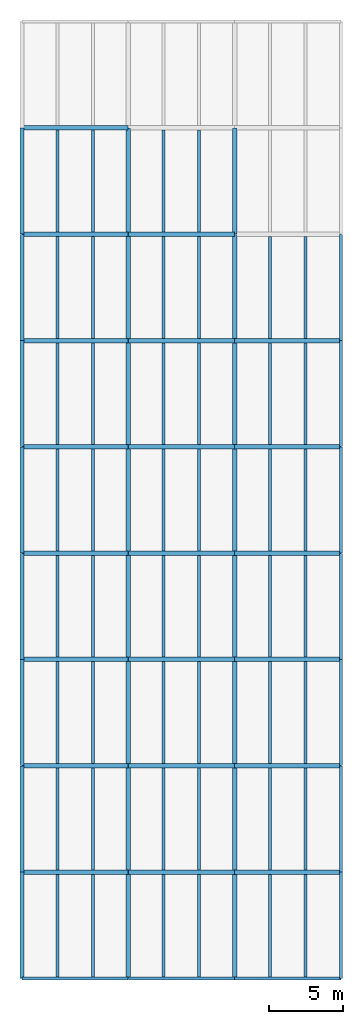
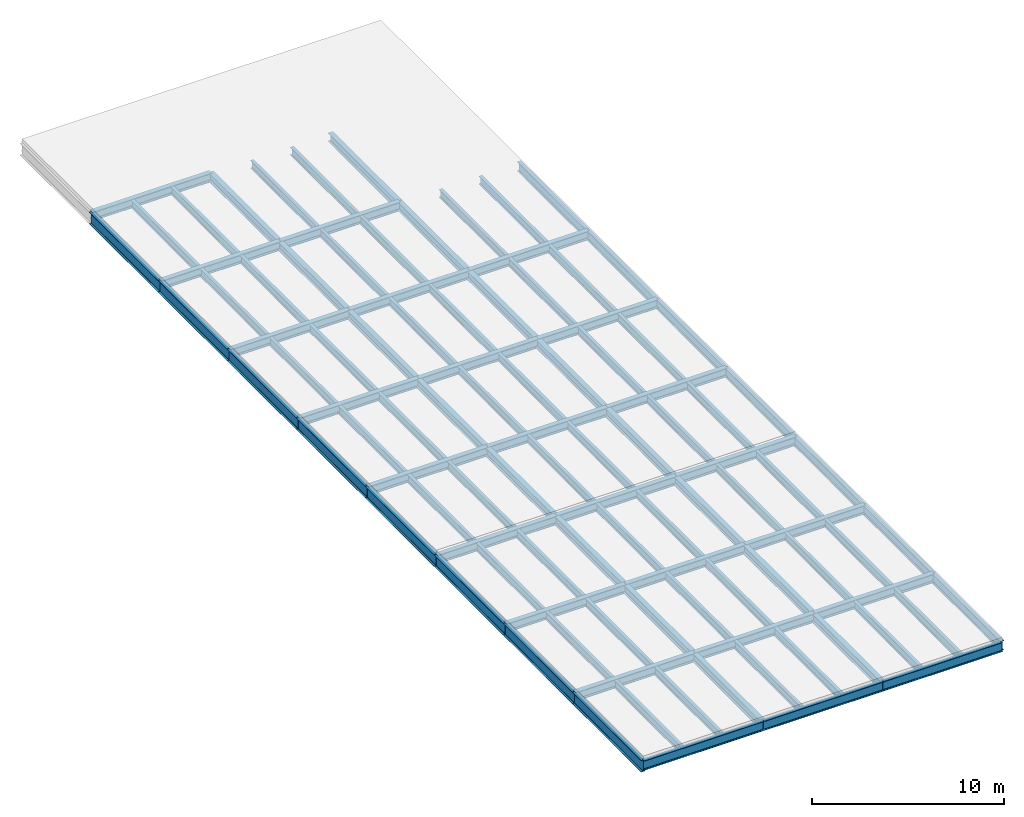
# One storey, part 1 of 2: 101 beams.
"""IFC4 building model written with IfcOpenShell, lengths in metres."""

from ifc_helpers import new_model, si_unit, direction, frame, origin, origin_2d, place, context, subcontext, project, spatial, i_section, extrude, material, material_profile, profile_set, type_object, element, save


model = new_model("IFC4")

# Units and contexts
model_context = context("Model", 3, precision=1e-05, world=origin(), true_north=direction((0.0, 1.0)))
body_context = subcontext(model_context, "Body", "Model", "MODEL_VIEW")
ifc_project = project(units=[si_unit("LENGTHUNIT", "METRE"), si_unit("AREAUNIT", "SQUARE_METRE"), si_unit("VOLUMEUNIT", "CUBIC_METRE"), si_unit("PLANEANGLEUNIT", "RADIAN"), si_unit("MASSUNIT", "GRAM", prefix="KILO")], contexts=[model_context])

# Site, building, storey
site_placement = place(None, origin())
site = spatial("IfcSite", under=ifc_project, at=site_placement, CompositionType="ELEMENT")
building_placement = place(site_placement, origin())
building = spatial("IfcBuilding", under=site, at=building_placement, Name="Narikvali Park Central Library", CompositionType="ELEMENT")
storey_placement = place(building_placement, frame((0.0, 0.0, 27.0)))
storey = spatial("IfcBuildingStorey", under=building, at=storey_placement, Name="Roof", CompositionType="ELEMENT", Elevation=27.0)

# Beams
ifc_material = material(Name="Steel S355", Category="steel")
ifc_material_profile_1 = material_profile(ifc_material, i_section(OverallWidth=0.199951171875, OverallDepth=0.5, WebThickness=0.01025390625, FlangeThickness=0.01611328125, FilletRadius=0.02099609375, at=origin_2d()), Name="IPE 500")
ifc_profile_set_1 = profile_set([ifc_material_profile_1], Name="Steel S355")
beam_type_1 = type_object("IfcBeamType", Name="Composite Floor Joist IPE500", PredefinedType="JOIST", material=ifc_profile_set_1)
for number, where, z_axis, x_axis, name in (
    (1, (2.39990234375, 43.31005859375, -0.489990234375), (0.0, 1.0, 0.0), (-1.0, 0.0, 0.0), "V5 Roof Composite Joist 1"),
    (2, (4.800048828125, 43.31005859375, -0.489990234375), (0.0, 1.0, 0.0), (-1.0, 0.0, 0.0), "V5 Roof Composite Joist 2"),
):
    element("IfcBeam", number, at=place(storey_placement, frame(where, z_axis=z_axis, x_axis=x_axis)), inside=storey, type_object=beam_type_1, Name=name, PredefinedType="JOIST", context=body_context, shape_type="SweptSolid", body=[
        extrude(i_section(OverallWidth=0.199951171875, OverallDepth=0.5, WebThickness=0.01025390625, FlangeThickness=0.01611328125, FilletRadius=0.02099609375, at=origin_2d()), origin(), (0.0, 0.0, 1.0), 6.93994140625),
    ])
for number, where, z_axis, x_axis, name in (
    (3, (2.39990234375, 50.550048828125, -0.489990234375), (0.0, 1.0, 0.0), (-1.0, 0.0, 0.0), "V5 Roof Composite Joist 1"),
    (4, (4.800048828125, 50.550048828125, -0.489990234375), (0.0, 1.0, 0.0), (-1.0, 0.0, 0.0), "V5 Roof Composite Joist 2"),
    (5, (2.39990234375, 57.75, -0.489990234375), (0.0, 1.0, 0.0), (-1.0, 0.0, 0.0), "V5 Roof Composite Joist 1"),
    (6, (4.800048828125, 57.75, -0.489990234375), (0.0, 1.0, 0.0), (-1.0, 0.0, 0.0), "V5 Roof Composite Joist 2"),
):
    element("IfcBeam", number, at=place(storey_placement, frame(where, z_axis=z_axis, x_axis=x_axis)), inside=storey, type_object=beam_type_1, Name=name, PredefinedType="JOIST", context=body_context, shape_type="SweptSolid", body=[
        extrude(i_section(OverallWidth=0.199951171875, OverallDepth=0.5, WebThickness=0.01025390625, FlangeThickness=0.01611328125, FilletRadius=0.02099609375, at=origin_2d()), origin(), (0.0, 0.0, 1.0), 6.89990234375),
    ])
for number, where, z_axis, x_axis, name in (
    (7, (2.39990234375, 64.949951171875, -0.489990234375), (0.0, 1.0, 0.0), (-1.0, 0.0, 0.0), "V5 Roof Composite Joist 1"),
    (8, (4.800048828125, 64.949951171875, -0.489990234375), (0.0, 1.0, 0.0), (-1.0, 0.0, 0.0), "V5 Roof Composite Joist 2"),
    (9, (2.39990234375, 72.14990234375, -0.489990234375), (0.0, 1.0, 0.0), (-1.0, 0.0, 0.0), "V5 Roof Composite Joist 1"),
    (10, (4.800048828125, 72.14990234375, -0.489990234375), (0.0, 1.0, 0.0), (-1.0, 0.0, 0.0), "V5 Roof Composite Joist 2"),
):
    element("IfcBeam", number, at=place(storey_placement, frame(where, z_axis=z_axis, x_axis=x_axis)), inside=storey, type_object=beam_type_1, Name=name, PredefinedType="JOIST", context=body_context, shape_type="SweptSolid", body=[
        extrude(i_section(OverallWidth=0.199951171875, OverallDepth=0.5, WebThickness=0.01025390625, FlangeThickness=0.01611328125, FilletRadius=0.02099609375, at=origin_2d()), origin(), (0.0, 0.0, 1.0), 6.900146484375),
    ])
for number, where, z_axis, x_axis, name in (
    (11, (2.39990234375, 79.35009765625, -0.489990234375), (0.0, 1.0, 0.0), (-1.0, 0.0, 0.0), "V5 Roof Composite Joist 1"),
    (12, (4.800048828125, 79.35009765625, -0.489990234375), (0.0, 1.0, 0.0), (-1.0, 0.0, 0.0), "V5 Roof Composite Joist 2"),
    (13, (2.39990234375, 86.550048828125, -0.489990234375), (0.0, 1.0, 0.0), (-1.0, 0.0, 0.0), "V5 Roof Composite Joist 1"),
    (14, (4.800048828125, 86.550048828125, -0.489990234375), (0.0, 1.0, 0.0), (-1.0, 0.0, 0.0), "V5 Roof Composite Joist 2"),
    (15, (2.39990234375, 93.75, -0.489990234375), (0.0, 1.0, 0.0), (-1.0, 0.0, 0.0), "V5 Roof Composite Joist 1"),
    (16, (4.800048828125, 93.75, -0.489990234375), (0.0, 1.0, 0.0), (-1.0, 0.0, 0.0), "V5 Roof Composite Joist 2"),
):
    element("IfcBeam", number, at=place(storey_placement, frame(where, z_axis=z_axis, x_axis=x_axis)), inside=storey, type_object=beam_type_1, Name=name, PredefinedType="JOIST", context=body_context, shape_type="SweptSolid", body=[
        extrude(i_section(OverallWidth=0.199951171875, OverallDepth=0.5, WebThickness=0.01025390625, FlangeThickness=0.01611328125, FilletRadius=0.02099609375, at=origin_2d()), origin(), (0.0, 0.0, 1.0), 6.89990234375),
    ])
for number, where, z_axis, x_axis, name in (
    (17, (9.60009765625, 43.31005859375, -0.489990234375), (0.0, 1.0, 0.0), (-1.0, 0.0, 0.0), "V5 Roof Composite Joist 1"),
    (18, (12.0, 43.31005859375, -0.489990234375), (0.0, 1.0, 0.0), (-1.0, 0.0, 0.0), "V5 Roof Composite Joist 2"),
):
    element("IfcBeam", number, at=place(storey_placement, frame(where, z_axis=z_axis, x_axis=x_axis)), inside=storey, type_object=beam_type_1, Name=name, PredefinedType="JOIST", context=body_context, shape_type="SweptSolid", body=[
        extrude(i_section(OverallWidth=0.199951171875, OverallDepth=0.5, WebThickness=0.01025390625, FlangeThickness=0.01611328125, FilletRadius=0.02099609375, at=origin_2d()), origin(), (0.0, 0.0, 1.0), 6.93994140625),
    ])
for number, where, z_axis, x_axis, name in (
    (19, (9.60009765625, 50.550048828125, -0.489990234375), (0.0, 1.0, 0.0), (-1.0, 0.0, 0.0), "V5 Roof Composite Joist 1"),
    (20, (12.0, 50.550048828125, -0.489990234375), (0.0, 1.0, 0.0), (-1.0, 0.0, 0.0), "V5 Roof Composite Joist 2"),
    (21, (9.60009765625, 57.75, -0.489990234375), (0.0, 1.0, 0.0), (-1.0, 0.0, 0.0), "V5 Roof Composite Joist 1"),
    (22, (12.0, 57.75, -0.489990234375), (0.0, 1.0, 0.0), (-1.0, 0.0, 0.0), "V5 Roof Composite Joist 2"),
):
    element("IfcBeam", number, at=place(storey_placement, frame(where, z_axis=z_axis, x_axis=x_axis)), inside=storey, type_object=beam_type_1, Name=name, PredefinedType="JOIST", context=body_context, shape_type="SweptSolid", body=[
        extrude(i_section(OverallWidth=0.199951171875, OverallDepth=0.5, WebThickness=0.01025390625, FlangeThickness=0.01611328125, FilletRadius=0.02099609375, at=origin_2d()), origin(), (0.0, 0.0, 1.0), 6.89990234375),
    ])
for number, where, z_axis, x_axis, name in (
    (23, (9.60009765625, 64.949951171875, -0.489990234375), (0.0, 1.0, 0.0), (-1.0, 0.0, 0.0), "V5 Roof Composite Joist 1"),
    (24, (12.0, 64.949951171875, -0.489990234375), (0.0, 1.0, 0.0), (-1.0, 0.0, 0.0), "V5 Roof Composite Joist 2"),
    (25, (9.60009765625, 72.14990234375, -0.489990234375), (0.0, 1.0, 0.0), (-1.0, 0.0, 0.0), "V5 Roof Composite Joist 1"),
    (26, (12.0, 72.14990234375, -0.489990234375), (0.0, 1.0, 0.0), (-1.0, 0.0, 0.0), "V5 Roof Composite Joist 2"),
):
    element("IfcBeam", number, at=place(storey_placement, frame(where, z_axis=z_axis, x_axis=x_axis)), inside=storey, type_object=beam_type_1, Name=name, PredefinedType="JOIST", context=body_context, shape_type="SweptSolid", body=[
        extrude(i_section(OverallWidth=0.199951171875, OverallDepth=0.5, WebThickness=0.01025390625, FlangeThickness=0.01611328125, FilletRadius=0.02099609375, at=origin_2d()), origin(), (0.0, 0.0, 1.0), 6.900146484375),
    ])
for number, where, z_axis, x_axis, name in (
    (27, (9.60009765625, 79.35009765625, -0.489990234375), (0.0, 1.0, 0.0), (-1.0, 0.0, 0.0), "V5 Roof Composite Joist 1"),
    (28, (12.0, 79.35009765625, -0.489990234375), (0.0, 1.0, 0.0), (-1.0, 0.0, 0.0), "V5 Roof Composite Joist 2"),
    (29, (9.60009765625, 86.550048828125, -0.489990234375), (0.0, 1.0, 0.0), (-1.0, 0.0, 0.0), "V5 Roof Composite Joist 1"),
    (30, (12.0, 86.550048828125, -0.489990234375), (0.0, 1.0, 0.0), (-1.0, 0.0, 0.0), "V5 Roof Composite Joist 2"),
    (31, (9.60009765625, 93.75, -0.489990234375), (0.0, 1.0, 0.0), (-1.0, 0.0, 0.0), "V5 Roof Composite Joist 1"),
    (32, (12.0, 93.75, -0.489990234375), (0.0, 1.0, 0.0), (-1.0, 0.0, 0.0), "V5 Roof Composite Joist 2"),
):
    element("IfcBeam", number, at=place(storey_placement, frame(where, z_axis=z_axis, x_axis=x_axis)), inside=storey, type_object=beam_type_1, Name=name, PredefinedType="JOIST", context=body_context, shape_type="SweptSolid", body=[
        extrude(i_section(OverallWidth=0.199951171875, OverallDepth=0.5, WebThickness=0.01025390625, FlangeThickness=0.01611328125, FilletRadius=0.02099609375, at=origin_2d()), origin(), (0.0, 0.0, 1.0), 6.89990234375),
    ])
for number, where, z_axis, x_axis, name in (
    (33, (16.800048828125, 43.31005859375, -0.489990234375), (0.0, 1.0, 0.0), (-1.0, 0.0, 0.0), "V5 Roof Composite Joist 1"),
    (34, (19.199951171875, 43.31005859375, -0.489990234375), (0.0, 1.0, 0.0), (-1.0, 0.0, 0.0), "V5 Roof Composite Joist 2"),
):
    element("IfcBeam", number, at=place(storey_placement, frame(where, z_axis=z_axis, x_axis=x_axis)), inside=storey, type_object=beam_type_1, Name=name, PredefinedType="JOIST", context=body_context, shape_type="SweptSolid", body=[
        extrude(i_section(OverallWidth=0.199951171875, OverallDepth=0.5, WebThickness=0.01025390625, FlangeThickness=0.01611328125, FilletRadius=0.02099609375, at=origin_2d()), origin(), (0.0, 0.0, 1.0), 6.93994140625),
    ])
for number, where, z_axis, x_axis, name in (
    (35, (16.800048828125, 50.550048828125, -0.489990234375), (0.0, 1.0, 0.0), (-1.0, 0.0, 0.0), "V5 Roof Composite Joist 1"),
    (36, (19.199951171875, 50.550048828125, -0.489990234375), (0.0, 1.0, 0.0), (-1.0, 0.0, 0.0), "V5 Roof Composite Joist 2"),
    (37, (16.800048828125, 57.75, -0.489990234375), (0.0, 1.0, 0.0), (-1.0, 0.0, 0.0), "V5 Roof Composite Joist 1"),
    (38, (19.199951171875, 57.75, -0.489990234375), (0.0, 1.0, 0.0), (-1.0, 0.0, 0.0), "V5 Roof Composite Joist 2"),
):
    element("IfcBeam", number, at=place(storey_placement, frame(where, z_axis=z_axis, x_axis=x_axis)), inside=storey, type_object=beam_type_1, Name=name, PredefinedType="JOIST", context=body_context, shape_type="SweptSolid", body=[
        extrude(i_section(OverallWidth=0.199951171875, OverallDepth=0.5, WebThickness=0.01025390625, FlangeThickness=0.01611328125, FilletRadius=0.02099609375, at=origin_2d()), origin(), (0.0, 0.0, 1.0), 6.89990234375),
    ])
for number, where, z_axis, x_axis, name in (
    (39, (16.800048828125, 64.949951171875, -0.489990234375), (0.0, 1.0, 0.0), (-1.0, 0.0, 0.0), "V5 Roof Composite Joist 1"),
    (40, (19.199951171875, 64.949951171875, -0.489990234375), (0.0, 1.0, 0.0), (-1.0, 0.0, 0.0), "V5 Roof Composite Joist 2"),
    (41, (16.800048828125, 72.14990234375, -0.489990234375), (0.0, 1.0, 0.0), (-1.0, 0.0, 0.0), "V5 Roof Composite Joist 1"),
    (42, (19.199951171875, 72.14990234375, -0.489990234375), (0.0, 1.0, 0.0), (-1.0, 0.0, 0.0), "V5 Roof Composite Joist 2"),
):
    element("IfcBeam", number, at=place(storey_placement, frame(where, z_axis=z_axis, x_axis=x_axis)), inside=storey, type_object=beam_type_1, Name=name, PredefinedType="JOIST", context=body_context, shape_type="SweptSolid", body=[
        extrude(i_section(OverallWidth=0.199951171875, OverallDepth=0.5, WebThickness=0.01025390625, FlangeThickness=0.01611328125, FilletRadius=0.02099609375, at=origin_2d()), origin(), (0.0, 0.0, 1.0), 6.900146484375),
    ])
for number, where, z_axis, x_axis, name in (
    (43, (16.800048828125, 79.35009765625, -0.489990234375), (0.0, 1.0, 0.0), (-1.0, 0.0, 0.0), "V5 Roof Composite Joist 1"),
    (44, (19.199951171875, 79.35009765625, -0.489990234375), (0.0, 1.0, 0.0), (-1.0, 0.0, 0.0), "V5 Roof Composite Joist 2"),
    (45, (16.800048828125, 86.550048828125, -0.489990234375), (0.0, 1.0, 0.0), (-1.0, 0.0, 0.0), "V5 Roof Composite Joist 1"),
    (46, (19.199951171875, 86.550048828125, -0.489990234375), (0.0, 1.0, 0.0), (-1.0, 0.0, 0.0), "V5 Roof Composite Joist 2"),
):
    element("IfcBeam", number, at=place(storey_placement, frame(where, z_axis=z_axis, x_axis=x_axis)), inside=storey, type_object=beam_type_1, Name=name, PredefinedType="JOIST", context=body_context, shape_type="SweptSolid", body=[
        extrude(i_section(OverallWidth=0.199951171875, OverallDepth=0.5, WebThickness=0.01025390625, FlangeThickness=0.01611328125, FilletRadius=0.02099609375, at=origin_2d()), origin(), (0.0, 0.0, 1.0), 6.89990234375),
    ])
ifc_material_profile_2 = material_profile(ifc_material, i_section(OverallWidth=0.264892578125, OverallDepth=0.7529296875, WebThickness=0.01318359375, FlangeThickness=0.01708984375, FilletRadius=0.01708984375, at=origin_2d()), Name="IPE 750x147")
ifc_profile_set_2 = profile_set([ifc_material_profile_2], Name="Steel S355")
beam_type_2 = type_object("IfcBeamType", Name="Fin Facade Spandrel IPE750", PredefinedType="SPANDREL", material=ifc_profile_set_2)
for number, where, z_axis, x_axis, name in (
    (47, (0.0, 43.2080078125, -0.616455078125), (0.0, 1.0, 0.0), (-1.0, 0.0, 0.0), "V5 Roof Girder Y"),
    (48, (0.0, 50.407958984375, -0.616455078125), (0.0, 1.0, 0.0), (-1.0, 0.0, 0.0), "V5 Roof Girder Y"),
    (49, (0.0, 57.60791015625, -0.616455078125), (0.0, 1.0, 0.0), (-1.0, 0.0, 0.0), "V5 Roof Girder Y"),
):
    element("IfcBeam", number, at=place(storey_placement, frame(where, z_axis=z_axis, x_axis=x_axis)), inside=storey, type_object=beam_type_2, Name=name, PredefinedType="SPANDREL", context=body_context, shape_type="SweptSolid", body=[
        extrude(i_section(OverallWidth=0.264892578125, OverallDepth=0.7529296875, WebThickness=0.01318359375, FlangeThickness=0.01708984375, FilletRadius=0.01708984375, at=origin_2d()), origin(), (0.0, 0.0, 1.0), 7.18408203125),
    ])
for number, where, z_axis, x_axis, name in (
    (50, (0.0, 64.80810546875, -0.616455078125), (0.0, 1.0, 0.0), (-1.0, 0.0, 0.0), "V5 Roof Girder Y"),
    (51, (0.0, 72.008056640625, -0.616455078125), (0.0, 1.0, 0.0), (-1.0, 0.0, 0.0), "V5 Roof Girder Y"),
):
    element("IfcBeam", number, at=place(storey_placement, frame(where, z_axis=z_axis, x_axis=x_axis)), inside=storey, type_object=beam_type_2, Name=name, PredefinedType="SPANDREL", context=body_context, shape_type="SweptSolid", body=[
        extrude(i_section(OverallWidth=0.264892578125, OverallDepth=0.7529296875, WebThickness=0.01318359375, FlangeThickness=0.01708984375, FilletRadius=0.01708984375, at=origin_2d()), origin(), (0.0, 0.0, 1.0), 7.183837890625),
    ])
for number, where, z_axis, x_axis, name in (
    (52, (0.0, 79.2080078125, -0.616455078125), (0.0, 1.0, 0.0), (-1.0, 0.0, 0.0), "V5 Roof Girder Y"),
    (53, (0.0, 86.407958984375, -0.616455078125), (0.0, 1.0, 0.0), (-1.0, 0.0, 0.0), "V5 Roof Girder Y"),
    (54, (0.0, 93.60791015625, -0.616455078125), (0.0, 1.0, 0.0), (-1.0, 0.0, 0.0), "V5 Roof Girder Y"),
):
    element("IfcBeam", number, at=place(storey_placement, frame(where, z_axis=z_axis, x_axis=x_axis)), inside=storey, type_object=beam_type_2, Name=name, PredefinedType="SPANDREL", context=body_context, shape_type="SweptSolid", body=[
        extrude(i_section(OverallWidth=0.264892578125, OverallDepth=0.7529296875, WebThickness=0.01318359375, FlangeThickness=0.01708984375, FilletRadius=0.01708984375, at=origin_2d()), origin(), (0.0, 0.0, 1.0), 7.18408203125),
    ])
ifc_material_profile_3 = material_profile(ifc_material, i_section(OverallWidth=0.219970703125, OverallDepth=0.60009765625, WebThickness=0.011962890625, FlangeThickness=0.01904296875, FilletRadius=0.02392578125, at=origin_2d()), Name="IPE 600")
ifc_profile_set_3 = profile_set([ifc_material_profile_3], Name="Steel S355")
beam_type_3 = type_object("IfcBeamType", Name="Perimeter Spandrel IPE600", PredefinedType="SPANDREL", material=ifc_profile_set_3)
beam_1_placement = place(storey_placement, frame((0.008056640625, 43.199951171875, -0.5400390625), z_axis=(1.0, 0.0, 0.0), x_axis=(0.0, 1.0, 0.0)))
element("IfcBeam", 55, at=beam_1_placement, inside=storey, type_object=beam_type_3, Name="V5 Roof Girder X", PredefinedType="SPANDREL", context=body_context, shape_type="SweptSolid", body=[
    extrude(i_section(OverallWidth=0.219970703125, OverallDepth=0.60009765625, WebThickness=0.011962890625, FlangeThickness=0.01904296875, FilletRadius=0.02392578125, at=origin_2d()), origin(), (0.0, 0.0, 1.0), 7.183837890625),
])
for number, where, z_axis, x_axis, name in (
    (56, (7.2080078125, 43.199951171875, -0.5400390625), (1.0, 0.0, 0.0), (0.0, 1.0, 0.0), "V5 Roof Girder X"),
    (57, (14.407958984375, 43.199951171875, -0.5400390625), (1.0, 0.0, 0.0), (0.0, 1.0, 0.0), "V5 Roof Girder X"),
    (58, (21.60009765625, 43.2080078125, -0.5400390625), (0.0, 1.0, 0.0), (-1.0, 0.0, 0.0), "V5 Roof Girder Y"),
    (59, (21.60009765625, 50.407958984375, -0.5400390625), (0.0, 1.0, 0.0), (-1.0, 0.0, 0.0), "V5 Roof Girder Y"),
    (60, (21.60009765625, 57.60791015625, -0.5400390625), (0.0, 1.0, 0.0), (-1.0, 0.0, 0.0), "V5 Roof Girder Y"),
):
    element("IfcBeam", number, at=place(storey_placement, frame(where, z_axis=z_axis, x_axis=x_axis)), inside=storey, type_object=beam_type_3, Name=name, PredefinedType="SPANDREL", context=body_context, shape_type="SweptSolid", body=[
        extrude(i_section(OverallWidth=0.219970703125, OverallDepth=0.60009765625, WebThickness=0.011962890625, FlangeThickness=0.01904296875, FilletRadius=0.02392578125, at=origin_2d()), origin(), (0.0, 0.0, 1.0), 7.18408203125),
    ])
for number, where, z_axis, x_axis, name in (
    (61, (21.60009765625, 64.80810546875, -0.5400390625), (0.0, 1.0, 0.0), (-1.0, 0.0, 0.0), "V5 Roof Girder Y"),
    (62, (21.60009765625, 72.008056640625, -0.5400390625), (0.0, 1.0, 0.0), (-1.0, 0.0, 0.0), "V5 Roof Girder Y"),
):
    element("IfcBeam", number, at=place(storey_placement, frame(where, z_axis=z_axis, x_axis=x_axis)), inside=storey, type_object=beam_type_3, Name=name, PredefinedType="SPANDREL", context=body_context, shape_type="SweptSolid", body=[
        extrude(i_section(OverallWidth=0.219970703125, OverallDepth=0.60009765625, WebThickness=0.011962890625, FlangeThickness=0.01904296875, FilletRadius=0.02392578125, at=origin_2d()), origin(), (0.0, 0.0, 1.0), 7.183837890625),
    ])
for number, where, z_axis, x_axis, name in (
    (63, (21.60009765625, 79.2080078125, -0.5400390625), (0.0, 1.0, 0.0), (-1.0, 0.0, 0.0), "V5 Roof Girder Y"),
    (64, (21.60009765625, 86.407958984375, -0.5400390625), (0.0, 1.0, 0.0), (-1.0, 0.0, 0.0), "V5 Roof Girder Y"),
):
    element("IfcBeam", number, at=place(storey_placement, frame(where, z_axis=z_axis, x_axis=x_axis)), inside=storey, type_object=beam_type_3, Name=name, PredefinedType="SPANDREL", context=body_context, shape_type="SweptSolid", body=[
        extrude(i_section(OverallWidth=0.219970703125, OverallDepth=0.60009765625, WebThickness=0.011962890625, FlangeThickness=0.01904296875, FilletRadius=0.02392578125, at=origin_2d()), origin(), (0.0, 0.0, 1.0), 7.18408203125),
    ])
ifc_material_profile_4 = material_profile(ifc_material, i_section(OverallWidth=0.300048828125, OverallDepth=0.5400390625, WebThickness=0.012451171875, FlangeThickness=0.02392578125, FilletRadius=0.027099609375, at=origin_2d()), Name="HEA 550")
ifc_profile_set_4 = profile_set([ifc_material_profile_4], Name="Steel S355")
beam_type_4 = type_object("IfcBeamType", Name="Primary Girder HEA550", PredefinedType="BEAM", material=ifc_profile_set_4)
for number, where, z_axis, x_axis, name in (
    (65, (7.199951171875, 43.2080078125, -0.510009765625), (0.0, 1.0, 0.0), (-1.0, 0.0, 0.0), "V5 Roof Girder Y"),
    (66, (7.199951171875, 50.407958984375, -0.510009765625), (0.0, 1.0, 0.0), (-1.0, 0.0, 0.0), "V5 Roof Girder Y"),
    (67, (7.199951171875, 57.60791015625, -0.510009765625), (0.0, 1.0, 0.0), (-1.0, 0.0, 0.0), "V5 Roof Girder Y"),
):
    element("IfcBeam", number, at=place(storey_placement, frame(where, z_axis=z_axis, x_axis=x_axis)), inside=storey, type_object=beam_type_4, Name=name, PredefinedType="BEAM", context=body_context, shape_type="SweptSolid", body=[
        extrude(i_section(OverallWidth=0.300048828125, OverallDepth=0.5400390625, WebThickness=0.012451171875, FlangeThickness=0.02392578125, FilletRadius=0.027099609375, at=origin_2d()), origin(), (0.0, 0.0, 1.0), 7.18408203125),
    ])
for number, where, z_axis, x_axis, name in (
    (68, (7.199951171875, 64.80810546875, -0.510009765625), (0.0, 1.0, 0.0), (-1.0, 0.0, 0.0), "V5 Roof Girder Y"),
    (69, (7.199951171875, 72.008056640625, -0.510009765625), (0.0, 1.0, 0.0), (-1.0, 0.0, 0.0), "V5 Roof Girder Y"),
):
    element("IfcBeam", number, at=place(storey_placement, frame(where, z_axis=z_axis, x_axis=x_axis)), inside=storey, type_object=beam_type_4, Name=name, PredefinedType="BEAM", context=body_context, shape_type="SweptSolid", body=[
        extrude(i_section(OverallWidth=0.300048828125, OverallDepth=0.5400390625, WebThickness=0.012451171875, FlangeThickness=0.02392578125, FilletRadius=0.027099609375, at=origin_2d()), origin(), (0.0, 0.0, 1.0), 7.183837890625),
    ])
for number, where, z_axis, x_axis, name in (
    (70, (7.199951171875, 79.2080078125, -0.510009765625), (0.0, 1.0, 0.0), (-1.0, 0.0, 0.0), "V5 Roof Girder Y"),
    (71, (7.199951171875, 86.407958984375, -0.510009765625), (0.0, 1.0, 0.0), (-1.0, 0.0, 0.0), "V5 Roof Girder Y"),
    (72, (7.199951171875, 93.60791015625, -0.510009765625), (0.0, 1.0, 0.0), (-1.0, 0.0, 0.0), "V5 Roof Girder Y"),
    (73, (14.39990234375, 43.2080078125, -0.510009765625), (0.0, 1.0, 0.0), (-1.0, 0.0, 0.0), "V5 Roof Girder Y"),
    (74, (14.39990234375, 50.407958984375, -0.510009765625), (0.0, 1.0, 0.0), (-1.0, 0.0, 0.0), "V5 Roof Girder Y"),
    (75, (14.39990234375, 57.60791015625, -0.510009765625), (0.0, 1.0, 0.0), (-1.0, 0.0, 0.0), "V5 Roof Girder Y"),
):
    element("IfcBeam", number, at=place(storey_placement, frame(where, z_axis=z_axis, x_axis=x_axis)), inside=storey, type_object=beam_type_4, Name=name, PredefinedType="BEAM", context=body_context, shape_type="SweptSolid", body=[
        extrude(i_section(OverallWidth=0.300048828125, OverallDepth=0.5400390625, WebThickness=0.012451171875, FlangeThickness=0.02392578125, FilletRadius=0.027099609375, at=origin_2d()), origin(), (0.0, 0.0, 1.0), 7.18408203125),
    ])
for number, where, z_axis, x_axis, name in (
    (76, (14.39990234375, 64.80810546875, -0.510009765625), (0.0, 1.0, 0.0), (-1.0, 0.0, 0.0), "V5 Roof Girder Y"),
    (77, (14.39990234375, 72.008056640625, -0.510009765625), (0.0, 1.0, 0.0), (-1.0, 0.0, 0.0), "V5 Roof Girder Y"),
):
    element("IfcBeam", number, at=place(storey_placement, frame(where, z_axis=z_axis, x_axis=x_axis)), inside=storey, type_object=beam_type_4, Name=name, PredefinedType="BEAM", context=body_context, shape_type="SweptSolid", body=[
        extrude(i_section(OverallWidth=0.300048828125, OverallDepth=0.5400390625, WebThickness=0.012451171875, FlangeThickness=0.02392578125, FilletRadius=0.027099609375, at=origin_2d()), origin(), (0.0, 0.0, 1.0), 7.183837890625),
    ])
for number, where, z_axis, x_axis, name in (
    (78, (14.39990234375, 79.2080078125, -0.510009765625), (0.0, 1.0, 0.0), (-1.0, 0.0, 0.0), "V5 Roof Girder Y"),
    (79, (14.39990234375, 86.407958984375, -0.510009765625), (0.0, 1.0, 0.0), (-1.0, 0.0, 0.0), "V5 Roof Girder Y"),
    (80, (14.39990234375, 93.60791015625, -0.510009765625), (0.0, 1.0, 0.0), (-1.0, 0.0, 0.0), "V5 Roof Girder Y"),
):
    element("IfcBeam", number, at=place(storey_placement, frame(where, z_axis=z_axis, x_axis=x_axis)), inside=storey, type_object=beam_type_4, Name=name, PredefinedType="BEAM", context=body_context, shape_type="SweptSolid", body=[
        extrude(i_section(OverallWidth=0.300048828125, OverallDepth=0.5400390625, WebThickness=0.012451171875, FlangeThickness=0.02392578125, FilletRadius=0.027099609375, at=origin_2d()), origin(), (0.0, 0.0, 1.0), 7.18408203125),
    ])
ifc_material_profile_5 = material_profile(ifc_material, i_section(OverallWidth=0.300048828125, OverallDepth=0.550048828125, WebThickness=0.014892578125, FlangeThickness=0.029052734375, FilletRadius=0.027099609375, at=origin_2d()), Name="HEB 550")
ifc_profile_set_5 = profile_set([ifc_material_profile_5], Name="Steel S355")
beam_type_5 = type_object("IfcBeamType", Name="Primary Stack Girder HEB550", PredefinedType="BEAM", material=ifc_profile_set_5)
beam_2_placement = place(storey_placement, frame((0.008056640625, 50.39990234375, -0.514892578125), z_axis=(1.0, 0.0, 0.0), x_axis=(0.0, 1.0, 0.0)))
element("IfcBeam", 81, at=beam_2_placement, inside=storey, type_object=beam_type_5, Name="V5 Roof Girder X", PredefinedType="BEAM", context=body_context, shape_type="SweptSolid", body=[
    extrude(i_section(OverallWidth=0.300048828125, OverallDepth=0.550048828125, WebThickness=0.014892578125, FlangeThickness=0.029052734375, FilletRadius=0.027099609375, at=origin_2d()), origin(), (0.0, 0.0, 1.0), 7.183837890625),
])
for number, where, z_axis, x_axis, name in (
    (82, (7.2080078125, 50.39990234375, -0.514892578125), (1.0, 0.0, 0.0), (0.0, 1.0, 0.0), "V5 Roof Girder X"),
    (83, (14.407958984375, 50.39990234375, -0.514892578125), (1.0, 0.0, 0.0), (0.0, 1.0, 0.0), "V5 Roof Girder X"),
):
    element("IfcBeam", number, at=place(storey_placement, frame(where, z_axis=z_axis, x_axis=x_axis)), inside=storey, type_object=beam_type_5, Name=name, PredefinedType="BEAM", context=body_context, shape_type="SweptSolid", body=[
        extrude(i_section(OverallWidth=0.300048828125, OverallDepth=0.550048828125, WebThickness=0.014892578125, FlangeThickness=0.029052734375, FilletRadius=0.027099609375, at=origin_2d()), origin(), (0.0, 0.0, 1.0), 7.18408203125),
    ])
beam_3_placement = place(storey_placement, frame((0.008056640625, 57.60009765625, -0.514892578125), z_axis=(1.0, 0.0, 0.0), x_axis=(0.0, 1.0, 0.0)))
element("IfcBeam", 84, at=beam_3_placement, inside=storey, type_object=beam_type_5, Name="V5 Roof Girder X", PredefinedType="BEAM", context=body_context, shape_type="SweptSolid", body=[
    extrude(i_section(OverallWidth=0.300048828125, OverallDepth=0.550048828125, WebThickness=0.014892578125, FlangeThickness=0.029052734375, FilletRadius=0.027099609375, at=origin_2d()), origin(), (0.0, 0.0, 1.0), 7.183837890625),
])
for number, where, z_axis, x_axis, name in (
    (85, (7.2080078125, 57.60009765625, -0.514892578125), (1.0, 0.0, 0.0), (0.0, 1.0, 0.0), "V5 Roof Girder X"),
    (86, (14.407958984375, 57.60009765625, -0.514892578125), (1.0, 0.0, 0.0), (0.0, 1.0, 0.0), "V5 Roof Girder X"),
):
    element("IfcBeam", number, at=place(storey_placement, frame(where, z_axis=z_axis, x_axis=x_axis)), inside=storey, type_object=beam_type_5, Name=name, PredefinedType="BEAM", context=body_context, shape_type="SweptSolid", body=[
        extrude(i_section(OverallWidth=0.300048828125, OverallDepth=0.550048828125, WebThickness=0.014892578125, FlangeThickness=0.029052734375, FilletRadius=0.027099609375, at=origin_2d()), origin(), (0.0, 0.0, 1.0), 7.18408203125),
    ])
beam_4_placement = place(storey_placement, frame((0.008056640625, 64.800048828125, -0.514892578125), z_axis=(1.0, 0.0, 0.0), x_axis=(0.0, 1.0, 0.0)))
element("IfcBeam", 87, at=beam_4_placement, inside=storey, type_object=beam_type_5, Name="V5 Roof Girder X", PredefinedType="BEAM", context=body_context, shape_type="SweptSolid", body=[
    extrude(i_section(OverallWidth=0.300048828125, OverallDepth=0.550048828125, WebThickness=0.014892578125, FlangeThickness=0.029052734375, FilletRadius=0.027099609375, at=origin_2d()), origin(), (0.0, 0.0, 1.0), 7.183837890625),
])
for number, where, z_axis, x_axis, name in (
    (88, (7.2080078125, 64.800048828125, -0.514892578125), (1.0, 0.0, 0.0), (0.0, 1.0, 0.0), "V5 Roof Girder X"),
    (89, (14.407958984375, 64.800048828125, -0.514892578125), (1.0, 0.0, 0.0), (0.0, 1.0, 0.0), "V5 Roof Girder X"),
):
    element("IfcBeam", number, at=place(storey_placement, frame(where, z_axis=z_axis, x_axis=x_axis)), inside=storey, type_object=beam_type_5, Name=name, PredefinedType="BEAM", context=body_context, shape_type="SweptSolid", body=[
        extrude(i_section(OverallWidth=0.300048828125, OverallDepth=0.550048828125, WebThickness=0.014892578125, FlangeThickness=0.029052734375, FilletRadius=0.027099609375, at=origin_2d()), origin(), (0.0, 0.0, 1.0), 7.18408203125),
    ])
beam_5_placement = place(storey_placement, frame((0.008056640625, 72.0, -0.514892578125), z_axis=(1.0, 0.0, 0.0), x_axis=(0.0, 1.0, 0.0)))
element("IfcBeam", 90, at=beam_5_placement, inside=storey, type_object=beam_type_5, Name="V5 Roof Girder X", PredefinedType="BEAM", context=body_context, shape_type="SweptSolid", body=[
    extrude(i_section(OverallWidth=0.300048828125, OverallDepth=0.550048828125, WebThickness=0.014892578125, FlangeThickness=0.029052734375, FilletRadius=0.027099609375, at=origin_2d()), origin(), (0.0, 0.0, 1.0), 7.183837890625),
])
for number, where, z_axis, x_axis, name in (
    (91, (7.2080078125, 72.0, -0.514892578125), (1.0, 0.0, 0.0), (0.0, 1.0, 0.0), "V5 Roof Girder X"),
    (92, (14.407958984375, 72.0, -0.514892578125), (1.0, 0.0, 0.0), (0.0, 1.0, 0.0), "V5 Roof Girder X"),
):
    element("IfcBeam", number, at=place(storey_placement, frame(where, z_axis=z_axis, x_axis=x_axis)), inside=storey, type_object=beam_type_5, Name=name, PredefinedType="BEAM", context=body_context, shape_type="SweptSolid", body=[
        extrude(i_section(OverallWidth=0.300048828125, OverallDepth=0.550048828125, WebThickness=0.014892578125, FlangeThickness=0.029052734375, FilletRadius=0.027099609375, at=origin_2d()), origin(), (0.0, 0.0, 1.0), 7.18408203125),
    ])
beam_6_placement = place(storey_placement, frame((0.008056640625, 79.199951171875, -0.514892578125), z_axis=(1.0, 0.0, 0.0), x_axis=(0.0, 1.0, 0.0)))
element("IfcBeam", 93, at=beam_6_placement, inside=storey, type_object=beam_type_5, Name="V5 Roof Girder X", PredefinedType="BEAM", context=body_context, shape_type="SweptSolid", body=[
    extrude(i_section(OverallWidth=0.300048828125, OverallDepth=0.550048828125, WebThickness=0.014892578125, FlangeThickness=0.029052734375, FilletRadius=0.027099609375, at=origin_2d()), origin(), (0.0, 0.0, 1.0), 7.183837890625),
])
for number, where, z_axis, x_axis, name in (
    (94, (7.2080078125, 79.199951171875, -0.514892578125), (1.0, 0.0, 0.0), (0.0, 1.0, 0.0), "V5 Roof Girder X"),
    (95, (14.407958984375, 79.199951171875, -0.514892578125), (1.0, 0.0, 0.0), (0.0, 1.0, 0.0), "V5 Roof Girder X"),
):
    element("IfcBeam", number, at=place(storey_placement, frame(where, z_axis=z_axis, x_axis=x_axis)), inside=storey, type_object=beam_type_5, Name=name, PredefinedType="BEAM", context=body_context, shape_type="SweptSolid", body=[
        extrude(i_section(OverallWidth=0.300048828125, OverallDepth=0.550048828125, WebThickness=0.014892578125, FlangeThickness=0.029052734375, FilletRadius=0.027099609375, at=origin_2d()), origin(), (0.0, 0.0, 1.0), 7.18408203125),
    ])
beam_7_placement = place(storey_placement, frame((0.008056640625, 86.39990234375, -0.514892578125), z_axis=(1.0, 0.0, 0.0), x_axis=(0.0, 1.0, 0.0)))
element("IfcBeam", 96, at=beam_7_placement, inside=storey, type_object=beam_type_5, Name="V5 Roof Girder X", PredefinedType="BEAM", context=body_context, shape_type="SweptSolid", body=[
    extrude(i_section(OverallWidth=0.300048828125, OverallDepth=0.550048828125, WebThickness=0.014892578125, FlangeThickness=0.029052734375, FilletRadius=0.027099609375, at=origin_2d()), origin(), (0.0, 0.0, 1.0), 7.183837890625),
])
for number, where, z_axis, x_axis, name in (
    (97, (7.2080078125, 86.39990234375, -0.514892578125), (1.0, 0.0, 0.0), (0.0, 1.0, 0.0), "V5 Roof Girder X"),
    (98, (14.407958984375, 86.39990234375, -0.514892578125), (1.0, 0.0, 0.0), (0.0, 1.0, 0.0), "V5 Roof Girder X"),
):
    element("IfcBeam", number, at=place(storey_placement, frame(where, z_axis=z_axis, x_axis=x_axis)), inside=storey, type_object=beam_type_5, Name=name, PredefinedType="BEAM", context=body_context, shape_type="SweptSolid", body=[
        extrude(i_section(OverallWidth=0.300048828125, OverallDepth=0.550048828125, WebThickness=0.014892578125, FlangeThickness=0.029052734375, FilletRadius=0.027099609375, at=origin_2d()), origin(), (0.0, 0.0, 1.0), 7.18408203125),
    ])
beam_8_placement = place(storey_placement, frame((0.008056640625, 93.60009765625, -0.514892578125), z_axis=(1.0, 0.0, 0.0), x_axis=(0.0, 1.0, 0.0)))
element("IfcBeam", 99, at=beam_8_placement, inside=storey, type_object=beam_type_5, Name="V5 Roof Girder X", PredefinedType="BEAM", context=body_context, shape_type="SweptSolid", body=[
    extrude(i_section(OverallWidth=0.300048828125, OverallDepth=0.550048828125, WebThickness=0.014892578125, FlangeThickness=0.029052734375, FilletRadius=0.027099609375, at=origin_2d()), origin(), (0.0, 0.0, 1.0), 7.183837890625),
])
beam_9_placement = place(storey_placement, frame((7.2080078125, 93.60009765625, -0.514892578125), z_axis=(1.0, 0.0, 0.0), x_axis=(0.0, 1.0, 0.0)))
element("IfcBeam", 100, at=beam_9_placement, inside=storey, type_object=beam_type_5, Name="V5 Roof Girder X", PredefinedType="BEAM", context=body_context, shape_type="SweptSolid", body=[
    extrude(i_section(OverallWidth=0.300048828125, OverallDepth=0.550048828125, WebThickness=0.014892578125, FlangeThickness=0.029052734375, FilletRadius=0.027099609375, at=origin_2d()), origin(), (0.0, 0.0, 1.0), 7.18408203125),
])
beam_10_placement = place(storey_placement, frame((0.008056640625, 100.800048828125, -0.514892578125), z_axis=(1.0, 0.0, 0.0), x_axis=(0.0, 1.0, 0.0)))
element("IfcBeam", 101, at=beam_10_placement, inside=storey, type_object=beam_type_5, Name="V5 Roof Girder X", PredefinedType="BEAM", context=body_context, shape_type="SweptSolid", body=[
    extrude(i_section(OverallWidth=0.300048828125, OverallDepth=0.550048828125, WebThickness=0.014892578125, FlangeThickness=0.029052734375, FilletRadius=0.027099609375, at=origin_2d()), origin(), (0.0, 0.0, 1.0), 7.183837890625),
])

save(model, "model.ifc")
